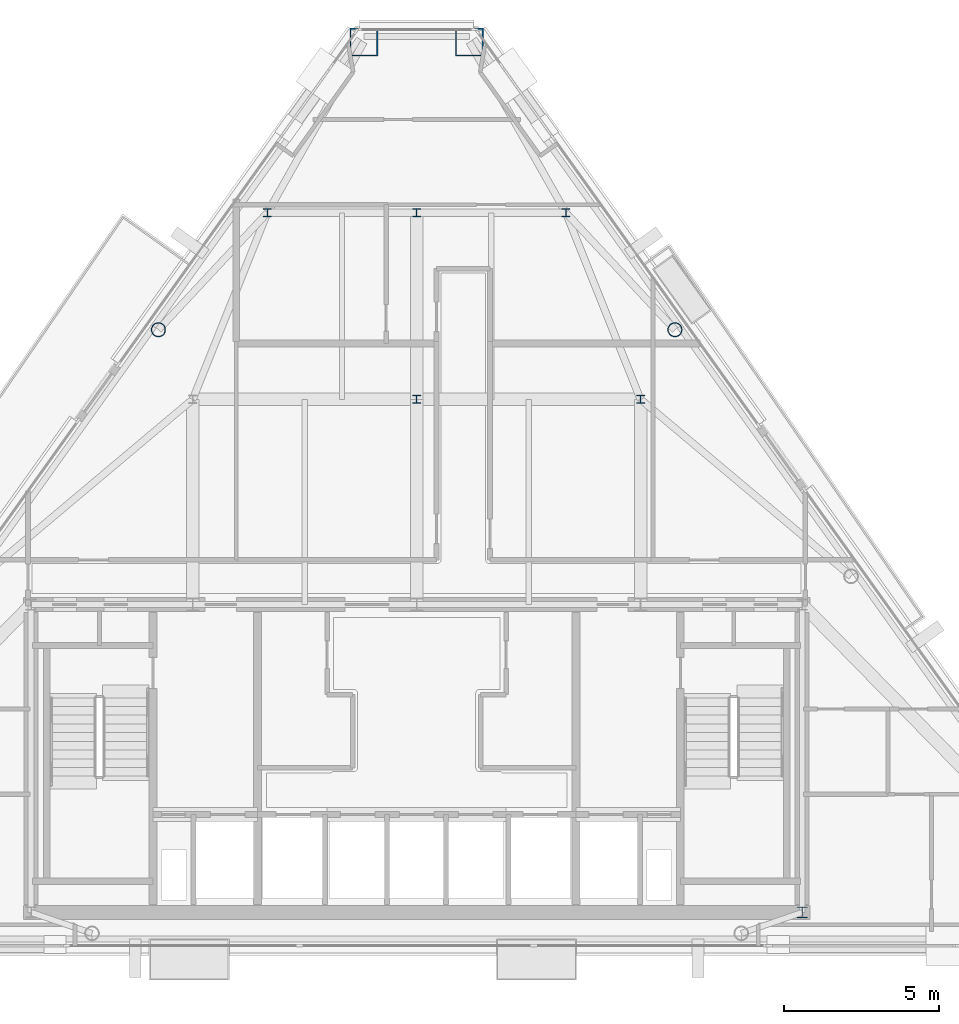
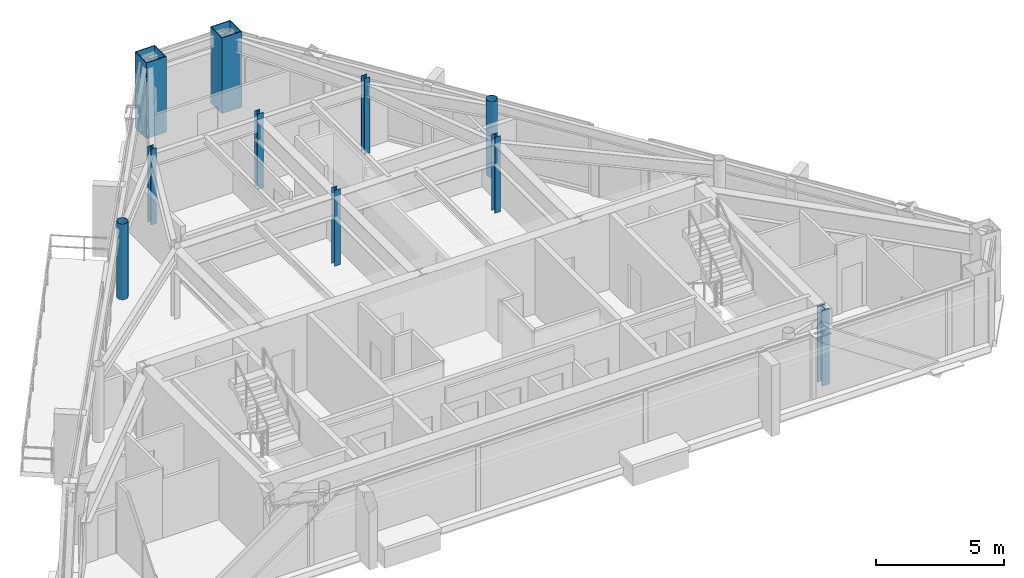
# One storey, part 2 of 12: 10 columns.
"""IFC4 building model written with IfcOpenShell, lengths in metres."""

import ifcopenshell
import ifcopenshell.guid

model = None  # the IFC model being written
_history = None  # IfcOwnerHistory: only IFC2X3 demands one
_inside = {}  # id of a spatial element -> (the spatial element, [elements in it])
_under = {}  # id of a project, library or spatial element -> (it, [spatial elements below it])
_declared = {}  # id of a project -> (the project, [libraries it declares])
_typed = {}  # id of a type object -> (the type object, [elements of that type])
_made_of = {}  # id of a material, layer set ... -> (it, [elements and type objects made of it])


def new_model(schema):
    """Start an empty IFC model of exactly this schema.

    Asked for "IFC4X3", IfcOpenShell would pick the latest addendum, in which some entities
    have other attributes; the version numbers below select the first issue.
    IFC2X3 requires an IfcOwnerHistory on every rooted entity: one is made here for all.
    """
    global model, _history
    if schema == "IFC4X3":
        model = ifcopenshell.file(schema_version=(4, 3, 0, 0))
    else:
        model = ifcopenshell.file(schema=schema)
    _inside.clear()
    _under.clear()
    _declared.clear()
    _typed.clear()
    _made_of.clear()
    _history = None
    if model.schema == "IFC2X3":
        org = make("IfcOrganization", Name="unknown")
        user = make(
            "IfcPersonAndOrganization",
            ThePerson=make("IfcPerson", FamilyName="unknown"),
            TheOrganization=org,
        )
        app = make(
            "IfcApplication",
            ApplicationDeveloper=org,
            Version="unknown",
            ApplicationFullName="unknown",
            ApplicationIdentifier="unknown",
        )
        _history = make(
            "IfcOwnerHistory",
            OwningUser=user,
            OwningApplication=app,
            ChangeAction="ADDED",
            CreationDate=0,
        )
    return model


def make(cls, **values):
    """One entity of the class cls with the attributes given. An attribute that is None is left unset."""
    return model.create_entity(
        cls, **{name: value for name, value in values.items() if value is not None}
    )


def rooted(cls, **values):
    """An entity with a GlobalId (a new one), such as an element, a storey or a relation."""
    return make(cls, GlobalId=ifcopenshell.guid.new(), OwnerHistory=_history, **values)


def si_unit(unit_type, name, prefix=None):
    """IfcSIUnit, for example si_unit("LENGTHUNIT", "METRE", prefix="MILLI")."""
    return make("IfcSIUnit", UnitType=unit_type, Prefix=prefix, Name=name)


def assignment(units):
    """IfcUnitAssignment: the units of a project."""
    return None if units is None else make("IfcUnitAssignment", Units=units)


def point(xyz):
    """IfcCartesianPoint."""
    return None if xyz is None else make("IfcCartesianPoint", Coordinates=xyz)


def direction(xyz):
    """IfcDirection."""
    return None if xyz is None else make("IfcDirection", DirectionRatios=xyz)


def frame(location, z_axis=None, x_axis=None):
    """IfcAxis2Placement3D, a coordinate frame: its origin and axes. An axis left out is left unset."""
    return make(
        "IfcAxis2Placement3D",
        Location=point(location),
        Axis=direction(z_axis),
        RefDirection=direction(x_axis),
    )


def frame_2d(location, x_axis=None):
    """IfcAxis2Placement2D, a coordinate frame in the plane: its origin and x axis."""
    return make(
        "IfcAxis2Placement2D", Location=point(location), RefDirection=direction(x_axis)
    )


def origin():
    """The frame at (0, 0, 0) with its axes left unset."""
    return frame((0.0, 0.0, 0.0))


def origin_2d():
    """The frame at (0, 0) in the plane with its x axis left unset."""
    return frame_2d((0.0, 0.0))


def place(relative_to, where):
    """IfcLocalPlacement: puts the frame where relative to a parent placement (None: the world)."""
    return make(
        "IfcLocalPlacement", PlacementRelTo=relative_to, RelativePlacement=where
    )


def context(
    kind, dimensions, precision=None, world=None, true_north=None, identifier=None
):
    """IfcGeometricRepresentationContext, for example the 3D "Model" context."""
    return make(
        "IfcGeometricRepresentationContext",
        ContextIdentifier=identifier,
        ContextType=kind,
        CoordinateSpaceDimension=dimensions,
        Precision=precision,
        WorldCoordinateSystem=world,
        TrueNorth=true_north,
    )


def subcontext(parent, identifier, kind, view, scale=None):
    """IfcGeometricRepresentationSubContext, for example "Body" below "Model"."""
    return make(
        "IfcGeometricRepresentationSubContext",
        ContextIdentifier=identifier,
        ContextType=kind,
        ParentContext=parent,
        TargetScale=scale,
        TargetView=view,
    )


def project(units=None, contexts=None):
    """IfcProject with its units and contexts."""
    return rooted(
        "IfcProject",
        Name="project",
        RepresentationContexts=contexts,
        UnitsInContext=assignment(units),
    )


def spatial(cls, under=None, at=None, **own):
    """A site, building, storey or space (cls), placed at a placement, below another one or the project."""
    s = rooted(cls, ObjectPlacement=at, **own)
    if under is not None:
        _under.setdefault(under.id(), (under, []))[1].append(s)
    return s


def profile(cls, at=None, kind="AREA", **sizes):
    """A parametric profile (cls). Its sizes go by their IFC names, for example OverallWidth=200.0."""
    return make(cls, ProfileType=kind, Position=at, **sizes)


def hollow_rectangle(**sizes):
    """IfcRectangleHollowProfileDef."""
    return profile("IfcRectangleHollowProfileDef", **sizes)


def hollow_circle(**sizes):
    """IfcCircleHollowProfileDef."""
    return profile("IfcCircleHollowProfileDef", **sizes)


def i_section(**sizes):
    """IfcIShapeProfileDef."""
    return profile("IfcIShapeProfileDef", **sizes)


def extrude(swept, where, along, depth):
    """IfcExtrudedAreaSolid: the profile swept, set in the frame where, extruded along a direction by depth."""
    return make(
        "IfcExtrudedAreaSolid",
        SweptArea=swept,
        Position=where,
        ExtrudedDirection=direction(along),
        Depth=depth,
    )


def shape(context_of_items, identifier, shape_type, items):
    """IfcShapeRepresentation: the items that make up one representation, for example the "Body"."""
    return make(
        "IfcShapeRepresentation",
        ContextOfItems=context_of_items,
        RepresentationIdentifier=identifier,
        RepresentationType=shape_type,
        Items=items,
    )


def material(Name=None, Category=None):
    """IfcMaterial."""
    return make("IfcMaterial", Name=Name, Category=Category)


def material_profile(
    of_material, cross_section, Name=None, Category=None, Priority=None
):
    """IfcMaterialProfile: a cross section and its material."""
    return make(
        "IfcMaterialProfile",
        Name=Name,
        Material=of_material,
        Profile=cross_section,
        Priority=Priority,
        Category=Category,
    )


def profile_set(profiles, Name=None, composite=None):
    """IfcMaterialProfileSet."""
    return make(
        "IfcMaterialProfileSet",
        Name=Name,
        MaterialProfiles=profiles,
        CompositeProfile=composite,
    )


def made_of(thing, what):
    """Note that an element or type object is made of a material, layer set ...; save() writes the relation."""
    if what is not None:
        _made_of.setdefault(what.id(), (what, []))[1].append(thing)
    return thing


def type_object(cls, material=None, **own):
    """A type object (cls), such as IfcWallType, which elements share."""
    return made_of(rooted(cls, **own), material)


def element(
    cls,
    number,
    at=None,
    inside=None,
    cuts=None,
    type_object=None,
    material=None,
    context=None,
    identifier="Body",
    shape_type=None,
    held_by="IfcProductDefinitionShape",
    body=None,
    shapes=None,
    **own,
):
    """One element of the class cls, such as IfcWall. Its Tag is "e" and its number.

    at: its placement. inside: the storey or other place that contains it. cuts: it is an
    opening in that element (IfcRelVoidsElement). A single representation is given by context,
    identifier, shape_type and body (its items); several are given by shapes. held_by: the class
    of the entity that holds the representations. save() writes the other relations.
    """
    e = rooted(cls, Tag="e%d" % number, ObjectPlacement=at, **own)
    if body is not None:
        shapes = [shape(context, identifier, shape_type, body)]
    if shapes is not None:
        e.Representation = make(held_by, Representations=shapes)
    if inside is not None:
        _inside.setdefault(inside.id(), (inside, []))[1].append(e)
    if cuts is not None:
        rooted(
            "IfcRelVoidsElement", RelatingBuildingElement=cuts, RelatedOpeningElement=e
        )
    if type_object is not None:
        _typed.setdefault(type_object.id(), (type_object, []))[1].append(e)
    return made_of(e, material)


def aggregate(whole, parts):
    """IfcRelAggregates: a whole, such as a stair, and the parts it consists of."""
    return rooted("IfcRelAggregates", RelatingObject=whole, RelatedObjects=parts)


def save(model, path):
    """Write the relations noted so far, then the file.

    IfcRelAggregates (storeys below a building ...), IfcRelContainedInSpatialStructure (elements
    in a storey), IfcRelDefinesByType, IfcRelAssociatesMaterial and IfcRelDeclares: one each for
    every whole, place, type object, material and project.
    """
    for whole, parts in _under.values():
        aggregate(whole, parts)
    for where, things in _inside.values():
        rooted(
            "IfcRelContainedInSpatialStructure",
            RelatedElements=things,
            RelatingStructure=where,
        )
    for kind, things in _typed.values():
        rooted("IfcRelDefinesByType", RelatedObjects=things, RelatingType=kind)
    for what, things in _made_of.values():
        rooted("IfcRelAssociatesMaterial", RelatedObjects=things, RelatingMaterial=what)
    for by, libraries in _declared.values():
        rooted("IfcRelDeclares", RelatingContext=by, RelatedDefinitions=libraries)
    model.write(path)


model = new_model("IFC4")

# Units and contexts
model_context = context("Model", 3, precision=1e-05, world=origin(), true_north=direction((0.0, 1.0)))
body_context = subcontext(model_context, "Body", "Model", "MODEL_VIEW")
ifc_project = project(units=[si_unit("LENGTHUNIT", "METRE"), si_unit("AREAUNIT", "SQUARE_METRE"), si_unit("VOLUMEUNIT", "CUBIC_METRE"), si_unit("PLANEANGLEUNIT", "RADIAN"), si_unit("MASSUNIT", "GRAM", prefix="KILO")], contexts=[model_context])

# Site, building, storey
site_placement = place(None, origin())
site = spatial("IfcSite", under=ifc_project, at=site_placement, CompositionType="ELEMENT")
building_placement = place(site_placement, origin())
building = spatial("IfcBuilding", under=site, at=building_placement, Name="Talgorran Terracotta Tower", CompositionType="ELEMENT")
storey_placement = place(building_placement, frame((0.0, 0.0, 281.39990234375)))
storey = spatial("IfcBuildingStorey", under=building, at=storey_placement, Name="L74", CompositionType="ELEMENT", Elevation=281.39990234375)

# Columns
ifc_material_1 = material(Name="Steel S355 (300PLUS)", Category="steel")
ifc_material_profile_1 = material_profile(ifc_material_1, i_section(OverallWidth=0.256103515625, OverallDepth=0.260009765625, WebThickness=0.010498046875, FlangeThickness=0.017333984375, at=origin_2d()), Name="250UC89.5")
ifc_profile_set_1 = profile_set([ifc_material_profile_1], Name="Steel S355 (300PLUS)")
column_type_1 = type_object("IfcColumnType", Name="COL_250UC89", PredefinedType="COLUMN", material=ifc_profile_set_1)
for number, where, z_axis, x_axis, name in (
    (1, (0.0, 2.39990234375, 0.0), (0.0, 0.0, 1.0), (1.0, 0.0, 0.0), "L74 Interior Gravity Column IC2"),
    (2, (7.199951171875, 2.39990234375, 0.0), (0.0, 0.0, 1.0), (1.0, 0.0, 0.0), "L74 Interior Gravity Column IC3"),
    (3, (-4.800048828125, 8.39990234375, 0.0), (0.0, 0.0, 1.0), (1.0, 0.0, 0.0), "L74 Interior Gravity Column IC4"),
    (4, (0.0, 8.39990234375, 0.0), (0.0, 0.0, 1.0), (1.0, 0.0, 0.0), "L74 Interior Gravity Column IC5"),
    (5, (4.800048828125, 8.39990234375, 0.0), (0.0, 0.0, 1.0), (1.0, 0.0, 0.0), "L74 Interior Gravity Column IC6"),
):
    element("IfcColumn", number, at=place(storey_placement, frame(where, z_axis=z_axis, x_axis=x_axis)), inside=storey, type_object=column_type_1, Name=name, PredefinedType="COLUMN", context=body_context, shape_type="SweptSolid", body=[
        extrude(i_section(OverallWidth=0.256103515625, OverallDepth=0.260009765625, WebThickness=0.010498046875, FlangeThickness=0.017333984375, at=origin_2d()), origin(), (0.0, 0.0, 1.0), 3.60009765625),
    ])
ifc_material_profile_2 = material_profile(ifc_material_1, i_section(OverallWidth=0.35205078125, OverallDepth=0.35888671875, WebThickness=0.01806640625, FlangeThickness=0.02587890625, at=origin_2d()), Name="350WC197")
ifc_profile_set_2 = profile_set([ifc_material_profile_2], Name="Steel S355 (300PLUS)")
column_type_2 = type_object("IfcColumnType", Name="COL_350WC197", PredefinedType="COLUMN", material=ifc_profile_set_2)
column_placement = place(storey_placement, frame((12.39990234375, -14.10009765625, 0.0), z_axis=(0.0, 0.0, 1.0), x_axis=(1.0, 0.0, 0.0)))
element("IfcColumn", 6, at=column_placement, inside=storey, type_object=column_type_2, Name="L74 Core Boundary Column CC2", PredefinedType="COLUMN", context=body_context, shape_type="SweptSolid", body=[
    extrude(i_section(OverallWidth=0.35205078125, OverallDepth=0.35888671875, WebThickness=0.01806640625, FlangeThickness=0.02587890625, at=origin_2d()), origin(), (0.0, 0.0, 1.0), 3.60009765625),
])
ifc_material_2 = material(Name="Steel Grade 350 (350L0)", Category="steel")
ifc_material_profile_3 = material_profile(ifc_material_2, hollow_rectangle(XDim=0.89990234375, YDim=0.89990234375, WallThickness=0.0400390625, at=origin_2d()), Name="CFT900X900X40")
ifc_profile_set_3 = profile_set([ifc_material_profile_3], Name="Steel Grade 350 (350L0)")
column_type_3 = type_object("IfcColumnType", Name="COL_CFT_900", PredefinedType="COLUMN", material=ifc_profile_set_3)
for number, where, z_axis, x_axis, name in (
    (7, (1.697998046875, 13.889404296875, 0.0), (0.0, 0.0, 1.0), (1.0, 0.0, 0.0), "L74 Corner CFT Mega-Column MC5"),
    (8, (-1.697998046875, 13.889404296875, 0.0), (0.0, 0.0, 1.0), (1.0, 0.0, 0.0), "L74 Corner CFT Mega-Column MC6"),
):
    element("IfcColumn", number, at=place(storey_placement, frame(where, z_axis=z_axis, x_axis=x_axis)), inside=storey, type_object=column_type_3, Name=name, PredefinedType="COLUMN", context=body_context, shape_type="SweptSolid", body=[
        extrude(hollow_rectangle(XDim=0.89990234375, YDim=0.89990234375, WallThickness=0.0400390625, at=origin_2d()), origin(), (0.0, 0.0, 1.0), 3.60009765625),
    ])
ifc_material_3 = material(Name="Steel S350 (C350L0)", Category="steel")
ifc_material_profile_4 = material_profile(ifc_material_3, hollow_circle(Radius=0.228515625, WallThickness=0.01611328125, at=origin_2d()), Name="CHS457X16")
ifc_profile_set_4 = profile_set([ifc_material_profile_4], Name="Steel S350 (C350L0)")
column_type_4 = type_object("IfcColumnType", Name="COL_CHS_457", PredefinedType="COLUMN", material=ifc_profile_set_4)
for number, where, z_axis, x_axis, name in (
    (9, (8.30615234375, 4.63818359375, 0.0), (0.0, 0.0, 1.0), (1.0, 0.0, 0.0), "L74 Facet Perimeter Column FC4"),
    (10, (-8.30615234375, 4.63818359375, 0.0), (0.0, 0.0, 1.0), (1.0, 0.0, 0.0), "L74 Facet Perimeter Column FC5"),
):
    element("IfcColumn", number, at=place(storey_placement, frame(where, z_axis=z_axis, x_axis=x_axis)), inside=storey, type_object=column_type_4, Name=name, PredefinedType="COLUMN", context=body_context, shape_type="SweptSolid", body=[
        extrude(hollow_circle(Radius=0.228515625, WallThickness=0.01611328125, at=origin_2d()), origin(), (0.0, 0.0, 1.0), 3.60009765625),
    ])

save(model, "model.ifc")
